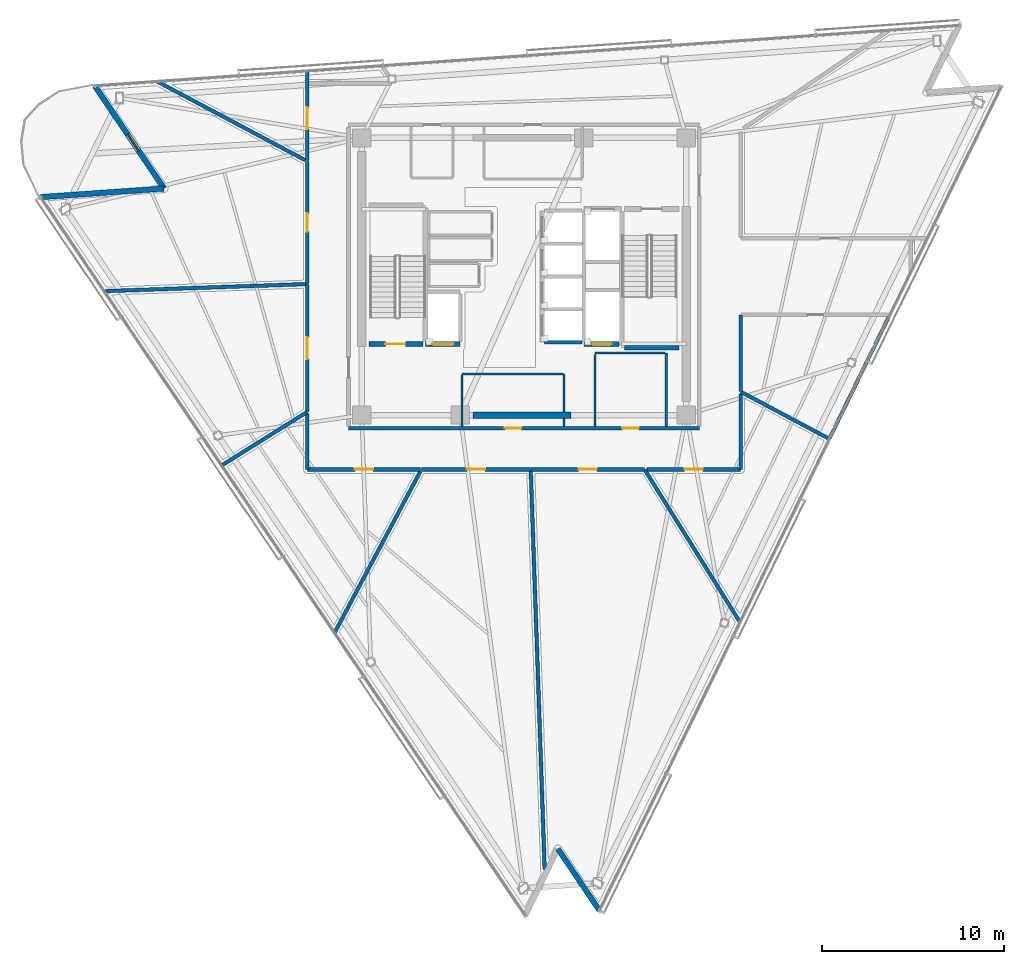
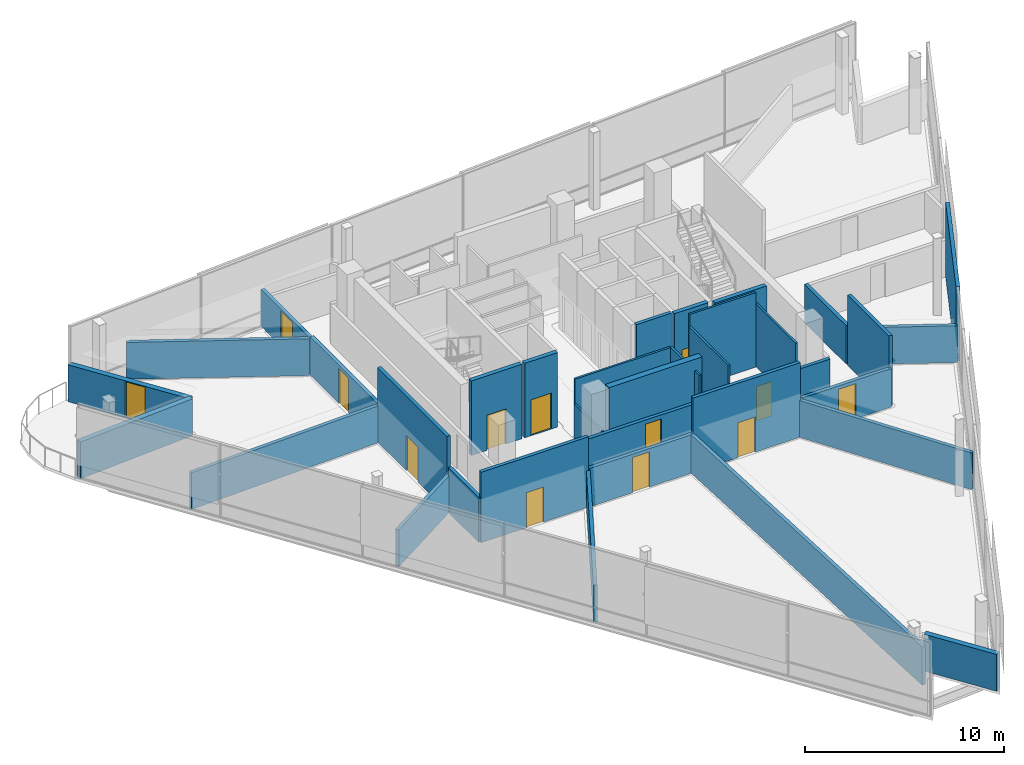
# One storey, part 9 of 16: 35 walls, 13 doors, 13 openings.
"""IFC4 building model written with IfcOpenShell, lengths in metres."""

from ifc_helpers import new_model, si_unit, direction, frame, frame_2d, origin, place, context, subcontext, project, spatial, rectangle, extrude, material, layer, layer_set, type_object, element, fill, save


model = new_model("IFC4")

# Units and contexts
model_context = context("Model", 3, precision=1e-05, world=origin(), true_north=direction((0.0, 1.0)))
body_context = subcontext(model_context, "Body", "Model", "MODEL_VIEW")
ifc_project = project(units=[si_unit("LENGTHUNIT", "METRE"), si_unit("AREAUNIT", "SQUARE_METRE"), si_unit("VOLUMEUNIT", "CUBIC_METRE"), si_unit("PLANEANGLEUNIT", "RADIAN"), si_unit("MASSUNIT", "GRAM", prefix="KILO")], contexts=[model_context])

# Site, building, storey
site_placement = place(None, origin())
site = spatial("IfcSite", under=ifc_project, at=site_placement, CompositionType="ELEMENT")
building_placement = place(site_placement, origin())
building = spatial("IfcBuilding", under=site, at=building_placement, Name="Tharavind Bronze Gate", CompositionType="ELEMENT")
storey_placement = place(building_placement, frame((0.0, 0.0, 275.0)))
storey = spatial("IfcBuildingStorey", under=building, at=storey_placement, Name="L71", CompositionType="ELEMENT", Elevation=275.0)

# Wall, opening, door
ifc_material_1 = material(Name="Concrete C40/50", Category="concrete")
ifc_layer_1 = layer(ifc_material_1, 0.300048828125)
ifc_layer_set_1 = layer_set([ifc_layer_1], Name="Concrete C40/50")
wall_type_1 = type_object("IfcWallType", Name="EXTERIOR SPANDREL WALL 300", PredefinedType="STANDARD", material=ifc_layer_set_1)
wall_1_placement = place(storey_placement, frame((-23.52587890625, 10.446044921875, 0.0), z_axis=(0.0, 0.0, 1.0), x_axis=(0.559187716425, -0.829041071238, 0.0)))
wall_1 = element("IfcWall", 1, at=wall_1_placement, inside=storey, type_object=wall_type_1, Name="L71 notch cheek wall 1A", PredefinedType="STANDARD", context=body_context, shape_type="SweptSolid", body=[
    extrude(rectangle(XDim=6.780029296875, YDim=0.300048828125, at=frame_2d((3.39013671875, 0.0))), origin(), (0.0, 0.0, 1.0), 2.2548828125),
])
opening_1_placement = place(wall_1_placement, frame((3.18603515625, 0.0, 0.0)))
opening_1 = element("IfcOpeningElement", 2, at=opening_1_placement, cuts=wall_1, Name="Opening ED04", PredefinedType="OPENING", context=body_context, shape_type="SweptSolid", body=[
    extrude(rectangle(XDim=1.10009765625, YDim=2.199951171875, at=frame_2d((0.550048828125, 1.10009765625))), frame((0.0, 0.15990234375, 0.0), z_axis=(0.0, -1.0, 0.0), x_axis=(1.0, 0.0, 0.0)), (0.0, 0.0, 1.0), 0.320048828125),
])
ifc_material_2 = material(Name="Bronze Aluminium & Toughened Glass", Category="aluminium")
door_type_1 = type_object("IfcDoorType", Name="TREE BALCONY ACCESS DOOR 1100X2200", OperationType="SINGLE_SWING_LEFT", PredefinedType="DOOR", material=ifc_material_2)
door_1_placement = place(opening_1_placement, frame((1.10009765625, 0.0, 0.0), z_axis=(0.0, 0.0, 1.0), x_axis=(-1.0, 0.0, 0.0)))
door_1 = element("IfcDoor", 3, at=door_1_placement, inside=storey, type_object=door_type_1, Name="L71 tree balcony access door", OperationType="SINGLE_SWING_LEFT", OverallHeight=2.199951171875, OverallWidth=1.10009765625, PredefinedType="DOOR", context=body_context, shape_type="SweptSolid", body=[
    extrude(rectangle(XDim=1.10009765625, YDim=2.199951171875, at=frame_2d((0.550048828125, 1.10009765625))), frame((0.0, 0.02490234375, 0.0), z_axis=(0.0, -1.0, 0.0), x_axis=(1.0, 0.0, 0.0)), (0.0, 0.0, 1.0), 0.050048828125),
])
fill(opening_1, door_1)

# Walls
wall_2_placement = place(storey_placement, frame((-19.734619140625, 4.8251953125, 0.0), z_axis=(0.0, 0.0, 1.0), x_axis=(-0.997564507468, -0.06974993506, 0.0)))
element("IfcWall", 4, at=wall_2_placement, inside=storey, type_object=wall_type_1, Name="L71 notch cheek wall 1B", PredefinedType="STANDARD", context=body_context, shape_type="SweptSolid", body=[
    extrude(rectangle(XDim=6.780029296875, YDim=0.300048828125, at=frame_2d((3.39013671875, 0.0))), origin(), (0.0, 0.0, 1.0), 2.2548828125),
])
wall_3_placement = place(storey_placement, frame((1.859130859375, -31.38916015625, 0.0), z_axis=(0.0, 0.0, 1.0), x_axis=(0.559206900681, -0.829028131145, 0.0)))
element("IfcWall", 5, at=wall_3_placement, inside=storey, type_object=wall_type_1, Name="L71 notch cheek wall 2B", PredefinedType="STANDARD", context=body_context, shape_type="SweptSolid", body=[
    extrude(rectangle(XDim=4.068115234375, YDim=0.300048828125, at=frame_2d((2.0341796875, 0.0))), origin(), (0.0, 0.0, 1.0), 2.2548828125),
])

# Wall, openings, doors
ifc_material_3 = material(Name="Aerated Concrete Block", Category="concrete")
ifc_layer_2 = layer(ifc_material_3, 0.199951171875)
ifc_layer_set_2 = layer_set([ifc_layer_2], Name="Aerated Concrete Block")
wall_type_2 = type_object("IfcWallType", Name="FIRE RATED PARTITION 200", PredefinedType="PARTITIONING", material=ifc_layer_set_2)
wall_4_placement = place(storey_placement, frame((-9.6201171875, -8.320068359375, 0.0), z_axis=(0.0, 0.0, 1.0), x_axis=(1.0, 0.0, 0.0)))
wall_4 = element("IfcWall", 6, at=wall_4_placement, inside=storey, type_object=wall_type_2, Name="L71 south core corridor wall", PredefinedType="PARTITIONING", context=body_context, shape_type="SweptSolid", body=[
    extrude(rectangle(XDim=19.240234375, YDim=0.199951171875, at=frame_2d((9.6201171875, 0.0))), origin(), (0.0, 0.0, 1.0), 2.35498046875),
])
opening_2_placement = place(wall_4_placement, frame((8.570068359375, 0.0, 0.0)))
opening_2 = element("IfcOpeningElement", 7, at=opening_2_placement, cuts=wall_4, Name="Opening ID07", PredefinedType="OPENING", context=body_context, shape_type="SweptSolid", body=[
    extrude(rectangle(XDim=0.89990234375, YDim=2.10009765625, at=frame_2d((0.449951171875, 1.050048828125))), frame((0.0, 0.11009765625, 0.0), z_axis=(0.0, -1.0, 0.0), x_axis=(1.0, 0.0, 0.0)), (0.0, 0.0, 1.0), 0.219951171875),
])
opening_3_placement = place(wall_4_placement, frame((15.02001953125, 0.0, 0.0)))
opening_3 = element("IfcOpeningElement", 8, at=opening_3_placement, cuts=wall_4, Name="Opening ID07", PredefinedType="OPENING", context=body_context, shape_type="SweptSolid", body=[
    extrude(rectangle(XDim=0.89990234375, YDim=2.10009765625, at=frame_2d((0.449951171875, 1.050048828125))), frame((0.0, 0.11009765625, 0.0), z_axis=(0.0, -1.0, 0.0), x_axis=(1.0, 0.0, 0.0)), (0.0, 0.0, 1.0), 0.219951171875),
])
ifc_material_4 = material(Name="Galvanised Fire Steel", Category="steel")
door_type_2 = type_object("IfcDoorType", Name="PLANT AND RISER FIRE DOOR 900X2100", OperationType="SINGLE_SWING_LEFT", PredefinedType="DOOR", material=ifc_material_4)
door_2_placement = place(opening_2_placement, origin())
door_2 = element("IfcDoor", 9, at=door_2_placement, inside=storey, type_object=door_type_2, Name="L71 Core BMS Control Room fire door", OperationType="SINGLE_SWING_LEFT", OverallHeight=2.10009765625, OverallWidth=0.89990234375, PredefinedType="DOOR", context=body_context, shape_type="SweptSolid", body=[
    extrude(rectangle(XDim=0.89990234375, YDim=2.10009765625, at=frame_2d((0.449951171875, 1.050048828125))), frame((0.0, 0.02490234375, 0.0), z_axis=(0.0, -1.0, 0.0), x_axis=(1.0, 0.0, 0.0)), (0.0, 0.0, 1.0), 0.050048828125),
])
fill(opening_2, door_2)
door_3_placement = place(opening_3_placement, origin())
door_3 = element("IfcDoor", 10, at=door_3_placement, inside=storey, type_object=door_type_2, Name="L71 Telecom Metering Room fire door", OperationType="SINGLE_SWING_LEFT", OverallHeight=2.10009765625, OverallWidth=0.89990234375, PredefinedType="DOOR", context=body_context, shape_type="SweptSolid", body=[
    extrude(rectangle(XDim=0.89990234375, YDim=2.10009765625, at=frame_2d((0.449951171875, 1.050048828125))), frame((0.0, 0.02490234375, 0.0), z_axis=(0.0, -1.0, 0.0), x_axis=(1.0, 0.0, 0.0)), (0.0, 0.0, 1.0), 0.050048828125),
])
fill(opening_3, door_3)

# Walls
wall_5_placement = place(storey_placement, frame((16.722900390625, -8.8916015625, 0.0), z_axis=(0.0, 0.0, 1.0), x_axis=(-0.882952698851, 0.469461959686, 0.0)))
element("IfcWall", 11, at=wall_5_placement, inside=storey, type_object=wall_type_2, Name="L71 Public Restrooms Block partition", PredefinedType="PARTITIONING", context=body_context, shape_type="SweptSolid", body=[
    extrude(rectangle(XDim=5.4697265625, YDim=0.199951171875, at=frame_2d((2.73486328125, 0.0))), origin(), (0.0, 0.0, 1.0), 2.2548828125),
])
wall_6_placement = place(storey_placement, frame((11.8798828125, -6.3017578125, 0.0), z_axis=(0.0, 0.0, 1.0), x_axis=(0.0, 1.0, 0.0)))
element("IfcWall", 12, at=wall_6_placement, inside=storey, type_object=wall_type_2, Name="L71 Public Restrooms Block partition", PredefinedType="PARTITIONING", context=body_context, shape_type="SweptSolid", body=[
    extrude(rectangle(XDim=4.1767578125, YDim=0.199951171875, at=frame_2d((2.08837890625, 0.0))), origin(), (0.0, 0.0, 1.0), 2.35498046875),
])
wall_7_placement = place(storey_placement, frame((20.012939453125, -2.205078125, 0.0), z_axis=(0.0, 0.0, 1.0), x_axis=(-0.438369230387, -0.898794980989, 0.0)))
element("IfcWall", 13, at=wall_7_placement, inside=storey, type_object=wall_type_2, Name="L71 Public Restrooms Block partition", PredefinedType="PARTITIONING", context=body_context, shape_type="SweptSolid", body=[
    extrude(rectangle(XDim=7.42724609375, YDim=0.199951171875, at=frame_2d((3.713623046875, 0.0))), origin(), (0.0, 0.0, 1.0), 4.56005859375),
])

# Wall, opening, door
wall_8_placement = place(storey_placement, frame((-11.8798828125, 11.260498046875, 0.0), z_axis=(0.0, 0.0, 1.0), x_axis=(0.0, -1.0, 0.0)))
wall_8 = element("IfcWall", 14, at=wall_8_placement, inside=storey, type_object=wall_type_2, Name="L71 Consular Interview Room partition", PredefinedType="PARTITIONING", context=body_context, shape_type="SweptSolid", body=[
    extrude(rectangle(XDim=4.902099609375, YDim=0.199951171875, at=frame_2d((2.451171875, 0.0))), origin(), (0.0, 0.0, 1.0), 2.2548828125),
])
opening_4_placement = place(wall_8_placement, frame((1.98095703125, 0.0, 0.0)))
opening_4 = element("IfcOpeningElement", 15, at=opening_4_placement, cuts=wall_8, Name="Opening ID05", PredefinedType="OPENING", context=body_context, shape_type="SweptSolid", body=[
    extrude(rectangle(XDim=1.199951171875, YDim=2.14990234375, at=frame_2d((0.60009765625, 1.074951171875))), frame((0.0, 0.11009765625, 0.0), z_axis=(0.0, -1.0, 0.0), x_axis=(1.0, 0.0, 0.0)), (0.0, 0.0, 1.0), 0.219951171875),
])
ifc_material_5 = material(Name="Acoustic Laminated Glass", Category="glass")
door_type_3 = type_object("IfcDoorType", Name="MEETING ROOM GLAZED DOOR 1200X2150", OperationType="SINGLE_SWING_LEFT", PredefinedType="DOOR", material=ifc_material_5)
door_4_placement = place(opening_4_placement, origin())
door_4 = element("IfcDoor", 16, at=door_4_placement, inside=storey, type_object=door_type_3, Name="L71 Consular Interview Room door", OperationType="SINGLE_SWING_LEFT", OverallHeight=2.14990234375, OverallWidth=1.199951171875, PredefinedType="DOOR", context=body_context, shape_type="SweptSolid", body=[
    extrude(rectangle(XDim=1.199951171875, YDim=2.14990234375, at=frame_2d((0.60009765625, 1.074951171875))), frame((0.0, 0.02490234375, 0.0), z_axis=(0.0, -1.0, 0.0), x_axis=(1.0, 0.0, 0.0)), (0.0, 0.0, 1.0), 0.050048828125),
])
fill(opening_4, door_4)

# Wall
wall_9_placement = place(storey_placement, frame((-11.985107421875, 6.37255859375, 0.0), z_axis=(0.0, 0.0, 1.0), x_axis=(-0.882948796651, 0.469469298776, 0.0)))
element("IfcWall", 17, at=wall_9_placement, inside=storey, type_object=wall_type_2, Name="L71 Consular Interview Room partition", PredefinedType="PARTITIONING", context=body_context, shape_type="SweptSolid", body=[
    extrude(rectangle(XDim=9.1875, YDim=0.199951171875, at=frame_2d((4.59375, 0.0))), origin(), (0.0, 0.0, 1.0), 2.2548828125),
])

# Wall, opening, door
wall_10_placement = place(storey_placement, frame((-11.8798828125, 6.3017578125, 0.0), z_axis=(0.0, 0.0, 1.0), x_axis=(0.0, -1.0, 0.0)))
wall_10 = element("IfcWall", 18, at=wall_10_placement, inside=storey, type_object=wall_type_2, Name="L71 Treaty Chancery Office partition", PredefinedType="PARTITIONING", context=body_context, shape_type="SweptSolid", body=[
    extrude(rectangle(XDim=6.6923828125, YDim=0.199951171875, at=frame_2d((3.34619140625, 0.0))), origin(), (0.0, 0.0, 1.0), 2.35498046875),
])
opening_5_placement = place(wall_10_placement, frame((2.845947265625, 0.0, 0.0)))
opening_5 = element("IfcOpeningElement", 19, at=opening_5_placement, cuts=wall_10, Name="Opening ID04", PredefinedType="OPENING", context=body_context, shape_type="SweptSolid", body=[
    extrude(rectangle(XDim=1.0, YDim=2.14990234375, at=frame_2d((0.5, 1.074951171875))), frame((0.0, 0.11009765625, 0.0), z_axis=(0.0, -1.0, 0.0), x_axis=(1.0, 0.0, 0.0)), (0.0, 0.0, 1.0), 0.219951171875),
])
ifc_material_6 = material(Name="Bronze Framed Acoustic Timber", Category="wood")
door_type_4 = type_object("IfcDoorType", Name="OFFICE TENANCY DOOR 1000X2150", OperationType="SINGLE_SWING_RIGHT", PredefinedType="DOOR", material=ifc_material_6)
door_5_placement = place(opening_5_placement, origin())
door_5 = element("IfcDoor", 20, at=door_5_placement, inside=storey, type_object=door_type_4, Name="L71 Treaty Chancery Office door", OperationType="SINGLE_SWING_RIGHT", OverallHeight=2.14990234375, OverallWidth=1.0, PredefinedType="DOOR", context=body_context, shape_type="SweptSolid", body=[
    extrude(rectangle(XDim=1.0, YDim=2.14990234375, at=frame_2d((0.5, 1.074951171875))), frame((0.0, 0.02490234375, 0.0), z_axis=(0.0, -1.0, 0.0), x_axis=(1.0, 0.0, 0.0)), (0.0, 0.0, 1.0), 0.050048828125),
])
fill(opening_5, door_5)

# Wall
wall_11_placement = place(storey_placement, frame((-11.904052734375, -0.415771484375, 0.0), z_axis=(0.0, 0.0, 1.0), x_axis=(-0.999390843877, -0.034899013965, 0.0)))
element("IfcWall", 21, at=wall_11_placement, inside=storey, type_object=wall_type_2, Name="L71 Treaty Chancery Office partition", PredefinedType="PARTITIONING", context=body_context, shape_type="SweptSolid", body=[
    extrude(rectangle(XDim=11.109130859375, YDim=0.199951171875, at=frame_2d((5.5546875, 0.0))), origin(), (0.0, 0.0, 1.0), 2.2548828125),
])

# Wall, opening, door
wall_12_placement = place(storey_placement, frame((-11.8798828125, -0.440673828125, 0.0), z_axis=(0.0, 0.0, 1.0), x_axis=(0.0, -1.0, 0.0)))
wall_12 = element("IfcWall", 22, at=wall_12_placement, inside=storey, type_object=wall_type_2, Name="L71 Press Briefing Room partition", PredefinedType="PARTITIONING", context=body_context, shape_type="SweptSolid", body=[
    extrude(rectangle(XDim=6.968994140625, YDim=0.199951171875, at=frame_2d((3.484375, 0.0))), origin(), (0.0, 0.0, 1.0), 4.56005859375),
])
opening_6_placement = place(wall_12_placement, frame((2.884033203125, 0.0, 0.0)))
opening_6 = element("IfcOpeningElement", 23, at=opening_6_placement, cuts=wall_12, Name="Opening ID05", PredefinedType="OPENING", context=body_context, shape_type="SweptSolid", body=[
    extrude(rectangle(XDim=1.199951171875, YDim=2.14990234375, at=frame_2d((0.60009765625, 1.074951171875))), frame((0.0, 0.11009765625, 0.0), z_axis=(0.0, -1.0, 0.0), x_axis=(1.0, 0.0, 0.0)), (0.0, 0.0, 1.0), 0.219951171875),
])
door_6_placement = place(opening_6_placement, origin())
door_6 = element("IfcDoor", 24, at=door_6_placement, inside=storey, type_object=door_type_3, Name="L71 Press Briefing Room door", OperationType="SINGLE_SWING_LEFT", OverallHeight=2.14990234375, OverallWidth=1.199951171875, PredefinedType="DOOR", context=body_context, shape_type="SweptSolid", body=[
    extrude(rectangle(XDim=1.199951171875, YDim=2.14990234375, at=frame_2d((0.60009765625, 1.074951171875))), frame((0.0, 0.02490234375, 0.0), z_axis=(0.0, -1.0, 0.0), x_axis=(1.0, 0.0, 0.0)), (0.0, 0.0, 1.0), 0.050048828125),
])
fill(opening_6, door_6)

# Walls
wall_13_placement = place(storey_placement, frame((-11.891845703125, -7.430908203125, 0.0), z_axis=(0.0, 0.0, 1.0), x_axis=(-0.848053170971, -0.529911142745, 0.0)))
element("IfcWall", 25, at=wall_13_placement, inside=storey, type_object=wall_type_2, Name="L71 Press Briefing Room partition", PredefinedType="PARTITIONING", context=body_context, shape_type="SweptSolid", body=[
    extrude(rectangle(XDim=5.499267578125, YDim=0.199951171875, at=frame_2d((2.74951171875, 0.0))), origin(), (0.0, 0.0, 1.0), 2.2548828125),
])
wall_14_placement = place(storey_placement, frame((-11.8798828125, -7.547119140625, 0.0), z_axis=(0.0, 0.0, 1.0), x_axis=(0.0, -1.0, 0.0)))
element("IfcWall", 26, at=wall_14_placement, inside=storey, type_object=wall_type_2, Name="L71 Envoys Study partition", PredefinedType="PARTITIONING", context=body_context, shape_type="SweptSolid", body=[
    extrude(rectangle(XDim=3.0322265625, YDim=0.199951171875, at=frame_2d((1.51611328125, 0.0))), origin(), (0.0, 0.0, 1.0), 2.7548828125),
])

# Wall, opening, door
wall_15_placement = place(storey_placement, frame((-11.87939453125, -10.580078125, 0.0), z_axis=(0.0, 0.0, 1.0), x_axis=(1.0, 0.0, 0.0)))
wall_15 = element("IfcWall", 27, at=wall_15_placement, inside=storey, type_object=wall_type_2, Name="L71 Envoys Study partition", PredefinedType="PARTITIONING", context=body_context, shape_type="SweptSolid", body=[
    extrude(rectangle(XDim=6.21240234375, YDim=0.199951171875, at=frame_2d((3.106201171875, 0.0))), origin(), (0.0, 0.0, 1.0), 4.31494140625),
])
opening_7_placement = place(wall_15_placement, frame((2.60595703125, 0.0, 0.0)))
opening_7 = element("IfcOpeningElement", 28, at=opening_7_placement, cuts=wall_15, Name="Opening ID04", PredefinedType="OPENING", context=body_context, shape_type="SweptSolid", body=[
    extrude(rectangle(XDim=1.0, YDim=2.14990234375, at=frame_2d((0.5, 1.074951171875))), frame((0.0, 0.11009765625, 0.0), z_axis=(0.0, -1.0, 0.0), x_axis=(1.0, 0.0, 0.0)), (0.0, 0.0, 1.0), 0.219951171875),
])
door_7_placement = place(opening_7_placement, origin())
door_7 = element("IfcDoor", 29, at=door_7_placement, inside=storey, type_object=door_type_4, Name="L71 Envoys Study door", OperationType="SINGLE_SWING_RIGHT", OverallHeight=2.14990234375, OverallWidth=1.0, PredefinedType="DOOR", context=body_context, shape_type="SweptSolid", body=[
    extrude(rectangle(XDim=1.0, YDim=2.14990234375, at=frame_2d((0.5, 1.074951171875))), frame((0.0, 0.02490234375, 0.0), z_axis=(0.0, -1.0, 0.0), x_axis=(1.0, 0.0, 0.0)), (0.0, 0.0, 1.0), 0.050048828125),
])
fill(opening_7, door_7)

# Wall
wall_16_placement = place(storey_placement, frame((-5.681396484375, -10.68505859375, 0.0), z_axis=(0.0, 0.0, 1.0), x_axis=(-0.469465104715, -0.882951026646, 0.0)))
element("IfcWall", 30, at=wall_16_placement, inside=storey, type_object=wall_type_2, Name="L71 Envoys Study partition", PredefinedType="PARTITIONING", context=body_context, shape_type="SweptSolid", body=[
    extrude(rectangle(XDim=10.022216796875, YDim=0.199951171875, at=frame_2d((5.01123046875, 0.0))), origin(), (0.0, 0.0, 1.0), 2.2548828125),
])

# Wall, opening, door
wall_17_placement = place(storey_placement, frame((-5.610595703125, -10.580078125, 0.0), z_axis=(0.0, 0.0, 1.0), x_axis=(1.0, 0.0, 0.0)))
wall_17 = element("IfcWall", 31, at=wall_17_placement, inside=storey, type_object=wall_type_2, Name="L71 Protocol Office partition", PredefinedType="PARTITIONING", context=body_context, shape_type="SweptSolid", body=[
    extrude(rectangle(XDim=5.955810546875, YDim=0.199951171875, at=frame_2d((2.97802734375, 0.0))), origin(), (0.0, 0.0, 1.0), 2.35498046875),
])
opening_8_placement = place(wall_17_placement, frame((2.47802734375, 0.0, 0.0)))
opening_8 = element("IfcOpeningElement", 32, at=opening_8_placement, cuts=wall_17, Name="Opening ID04", PredefinedType="OPENING", context=body_context, shape_type="SweptSolid", body=[
    extrude(rectangle(XDim=1.0, YDim=2.14990234375, at=frame_2d((0.5, 1.074951171875))), frame((0.0, 0.11009765625, 0.0), z_axis=(0.0, -1.0, 0.0), x_axis=(1.0, 0.0, 0.0)), (0.0, 0.0, 1.0), 0.219951171875),
])
door_8_placement = place(opening_8_placement, origin())
door_8 = element("IfcDoor", 33, at=door_8_placement, inside=storey, type_object=door_type_4, Name="L71 Protocol Office door", OperationType="SINGLE_SWING_RIGHT", OverallHeight=2.14990234375, OverallWidth=1.0, PredefinedType="DOOR", context=body_context, shape_type="SweptSolid", body=[
    extrude(rectangle(XDim=1.0, YDim=2.14990234375, at=frame_2d((0.5, 1.074951171875))), frame((0.0, 0.02490234375, 0.0), z_axis=(0.0, -1.0, 0.0), x_axis=(1.0, 0.0, 0.0)), (0.0, 0.0, 1.0), 0.050048828125),
])
fill(opening_8, door_8)

# Wall
wall_18_placement = place(storey_placement, frame((0.370361328125, -10.60400390625, 0.0), z_axis=(0.0, 0.0, 1.0), x_axis=(0.034892513881, -0.99939107084, 0.0)))
element("IfcWall", 34, at=wall_18_placement, inside=storey, type_object=wall_type_2, Name="L71 Protocol Office partition", PredefinedType="PARTITIONING", context=body_context, shape_type="SweptSolid", body=[
    extrude(rectangle(XDim=21.928466796875, YDim=0.199951171875, at=frame_2d((10.96435546875, 0.0))), origin(), (0.0, 0.0, 1.0), 2.35498046875),
])

# Wall, opening, door
wall_19_placement = place(storey_placement, frame((0.395263671875, -10.580078125, 0.0), z_axis=(0.0, 0.0, 1.0), x_axis=(1.0, 0.0, 0.0)))
wall_19 = element("IfcWall", 35, at=wall_19_placement, inside=storey, type_object=wall_type_2, Name="L71 Chancery Office partition", PredefinedType="PARTITIONING", context=body_context, shape_type="SweptSolid", body=[
    extrude(rectangle(XDim=6.2021484375, YDim=0.199951171875, at=frame_2d((3.10107421875, 0.0))), origin(), (0.0, 0.0, 1.0), 4.56005859375),
])
opening_9_placement = place(wall_19_placement, frame((2.60107421875, 0.0, 0.0)))
opening_9 = element("IfcOpeningElement", 36, at=opening_9_placement, cuts=wall_19, Name="Opening ID04", PredefinedType="OPENING", context=body_context, shape_type="SweptSolid", body=[
    extrude(rectangle(XDim=1.0, YDim=2.14990234375, at=frame_2d((0.5, 1.074951171875))), frame((0.0, 0.11009765625, 0.0), z_axis=(0.0, -1.0, 0.0), x_axis=(1.0, 0.0, 0.0)), (0.0, 0.0, 1.0), 0.219951171875),
])
door_9_placement = place(opening_9_placement, origin())
door_9 = element("IfcDoor", 37, at=door_9_placement, inside=storey, type_object=door_type_4, Name="L71 Chancery Office door", OperationType="SINGLE_SWING_RIGHT", OverallHeight=2.14990234375, OverallWidth=1.0, PredefinedType="DOOR", context=body_context, shape_type="SweptSolid", body=[
    extrude(rectangle(XDim=1.0, YDim=2.14990234375, at=frame_2d((0.5, 1.074951171875))), frame((0.0, 0.02490234375, 0.0), z_axis=(0.0, -1.0, 0.0), x_axis=(1.0, 0.0, 0.0)), (0.0, 0.0, 1.0), 0.050048828125),
])
fill(opening_9, door_9)

# Wall
wall_20_placement = place(storey_placement, frame((6.618408203125, -10.591796875, 0.0), z_axis=(0.0, 0.0, 1.0), x_axis=(0.529918705885, -0.848048445051, 0.0)))
element("IfcWall", 38, at=wall_20_placement, inside=storey, type_object=wall_type_2, Name="L71 Chancery Office partition", PredefinedType="PARTITIONING", context=body_context, shape_type="SweptSolid", body=[
    extrude(rectangle(XDim=9.846923828125, YDim=0.199951171875, at=frame_2d((4.92333984375, 0.0))), origin(), (0.0, 0.0, 1.0), 2.2548828125),
])

# Wall, opening, door
wall_21_placement = place(storey_placement, frame((6.73486328125, -10.580078125, 0.0), z_axis=(0.0, 0.0, 1.0), x_axis=(1.0, 0.0, 0.0)))
wall_21 = element("IfcWall", 39, at=wall_21_placement, inside=storey, type_object=wall_type_2, Name="L71 Attache Office partition", PredefinedType="PARTITIONING", context=body_context, shape_type="SweptSolid", body=[
    extrude(rectangle(XDim=5.14453125, YDim=0.199951171875, at=frame_2d((2.572265625, 0.0))), origin(), (0.0, 0.0, 1.0), 2.35498046875),
])
opening_10_placement = place(wall_21_placement, frame((2.072021484375, 0.0, 0.0)))
opening_10 = element("IfcOpeningElement", 40, at=opening_10_placement, cuts=wall_21, Name="Opening ID04", PredefinedType="OPENING", context=body_context, shape_type="SweptSolid", body=[
    extrude(rectangle(XDim=1.0, YDim=2.14990234375, at=frame_2d((0.5, 1.074951171875))), frame((0.0, 0.11009765625, 0.0), z_axis=(0.0, -1.0, 0.0), x_axis=(1.0, 0.0, 0.0)), (0.0, 0.0, 1.0), 0.219951171875),
])
door_10_placement = place(opening_10_placement, origin())
door_10 = element("IfcDoor", 41, at=door_10_placement, inside=storey, type_object=door_type_4, Name="L71 Attache Office door", OperationType="SINGLE_SWING_RIGHT", OverallHeight=2.14990234375, OverallWidth=1.0, PredefinedType="DOOR", context=body_context, shape_type="SweptSolid", body=[
    extrude(rectangle(XDim=1.0, YDim=2.14990234375, at=frame_2d((0.5, 1.074951171875))), frame((0.0, 0.02490234375, 0.0), z_axis=(0.0, -1.0, 0.0), x_axis=(1.0, 0.0, 0.0)), (0.0, 0.0, 1.0), 0.050048828125),
])
fill(opening_10, door_10)

# Walls
wall_22_placement = place(storey_placement, frame((11.8798828125, -10.579345703125, 0.0), z_axis=(0.0, 0.0, 1.0), x_axis=(0.0, 1.0, 0.0)))
element("IfcWall", 42, at=wall_22_placement, inside=storey, type_object=wall_type_2, Name="L71 Attache Office partition", PredefinedType="PARTITIONING", context=body_context, shape_type="SweptSolid", body=[
    extrude(rectangle(XDim=4.143798828125, YDim=0.199951171875, at=frame_2d((2.07177734375, 0.0))), origin(), (0.0, 0.0, 1.0), 4.31494140625),
])
ifc_material_7 = material(Name="Metal Stud Gypsum Partition", Category="gypsum")
ifc_layer_3 = layer(ifc_material_7, 0.1201171875)
ifc_layer_set_3 = layer_set([ifc_layer_3], Name="Metal Stud Gypsum Partition")
wall_type_3 = type_object("IfcWallType", Name="INTERIOR PARTITION WALL 120", PredefinedType="PARTITIONING", material=ifc_layer_set_3)
wall_23_placement = place(storey_placement, frame((2.199951171875, -8.215087890625, 0.0), z_axis=(0.0, 0.0, 1.0), x_axis=(0.0, 1.0, 0.0)))
element("IfcWall", 43, at=wall_23_placement, inside=storey, type_object=wall_type_3, Name="L71 Core BMS Control Room partition 2", PredefinedType="PARTITIONING", context=body_context, shape_type="SweptSolid", body=[
    extrude(rectangle(XDim=0.43505859375, YDim=0.1201171875, at=frame_2d((0.217529296875, 0.0))), origin(), (0.0, 0.0, 1.0), 3.85498046875),
])
wall_24_placement = place(storey_placement, frame((2.199951171875, -7.419921875, 0.0), z_axis=(0.0, 0.0, 1.0), x_axis=(0.0, 1.0, 0.0)))
element("IfcWall", 44, at=wall_24_placement, inside=storey, type_object=wall_type_3, Name="L71 Core BMS Control Room partition 2", PredefinedType="PARTITIONING", context=body_context, shape_type="SweptSolid", body=[
    extrude(rectangle(XDim=2.06982421875, YDim=0.1201171875, at=frame_2d((1.034912109375, 0.0))), origin(), (0.0, 0.0, 1.0), 3.85498046875),
])
wall_25_placement = place(storey_placement, frame((2.135009765625, -5.35009765625, 0.0), z_axis=(0.0, 0.0, 1.0), x_axis=(-1.0, 0.0, 0.0)))
element("IfcWall", 45, at=wall_25_placement, inside=storey, type_object=wall_type_3, Name="L71 Core BMS Control Room partition 3", PredefinedType="PARTITIONING", context=body_context, shape_type="SweptSolid", body=[
    extrude(rectangle(XDim=5.534912109375, YDim=0.1201171875, at=frame_2d((2.767578125, 0.0))), origin(), (0.0, 0.0, 1.0), 3.85498046875),
])
wall_26_placement = place(storey_placement, frame((-3.39990234375, -5.4150390625, 0.0), z_axis=(0.0, 0.0, 1.0), x_axis=(0.0, -1.0, 0.0)))
element("IfcWall", 46, at=wall_26_placement, inside=storey, type_object=wall_type_3, Name="L71 Core BMS Control Room partition 4", PredefinedType="PARTITIONING", context=body_context, shape_type="SweptSolid", body=[
    extrude(rectangle(XDim=2.800048828125, YDim=0.1201171875, at=frame_2d((1.39990234375, 0.0))), origin(), (0.0, 0.0, 1.0), 2.35498046875),
])
wall_27_placement = place(storey_placement, frame((7.800048828125, -8.215087890625, 0.0), z_axis=(0.0, 0.0, 1.0), x_axis=(0.0, 1.0, 0.0)))
element("IfcWall", 47, at=wall_27_placement, inside=storey, type_object=wall_type_3, Name="L71 Telecom Metering Room partition 2", PredefinedType="PARTITIONING", context=body_context, shape_type="SweptSolid", body=[
    extrude(rectangle(XDim=4.01513671875, YDim=0.1201171875, at=frame_2d((2.007568359375, 0.0))), origin(), (0.0, 0.0, 1.0), 3.85498046875),
])
wall_28_placement = place(storey_placement, frame((7.735107421875, -4.199951171875, 0.0), z_axis=(0.0, 0.0, 1.0), x_axis=(-1.0, 0.0, 0.0)))
element("IfcWall", 48, at=wall_28_placement, inside=storey, type_object=wall_type_3, Name="L71 Telecom Metering Room partition 3", PredefinedType="PARTITIONING", context=body_context, shape_type="SweptSolid", body=[
    extrude(rectangle(XDim=3.835205078125, YDim=0.1201171875, at=frame_2d((1.91748046875, 0.0))), origin(), (0.0, 0.0, 1.0), 4.56005859375),
])
wall_29_placement = place(storey_placement, frame((3.89990234375, -4.264892578125, 0.0), z_axis=(0.0, 0.0, 1.0), x_axis=(0.0, -1.0, 0.0)))
element("IfcWall", 49, at=wall_29_placement, inside=storey, type_object=wall_type_3, Name="L71 Telecom Metering Room partition 4", PredefinedType="PARTITIONING", context=body_context, shape_type="SweptSolid", body=[
    extrude(rectangle(XDim=3.9501953125, YDim=0.1201171875, at=frame_2d((1.97509765625, 0.0))), origin(), (0.0, 0.0, 1.0), 3.85498046875),
])

# Wall, opening, door
ifc_material_8 = material(Name="Concrete C50/60", Category="concrete")
ifc_layer_4 = layer(ifc_material_8, 0.25)
ifc_layer_set_4 = layer_set([ifc_layer_4], Name="Concrete C50/60")
wall_type_4 = type_object("IfcWallType", Name="RC CORE SHEAR WALL 250", PredefinedType="SHEAR", material=ifc_layer_set_4)
wall_30_placement = place(storey_placement, frame((-8.5, -3.699951171875, 0.0), z_axis=(0.0, 0.0, 1.0), x_axis=(1.0, 0.0, 0.0)))
wall_30 = element("IfcWall", 50, at=wall_30_placement, inside=storey, type_object=wall_type_4, Name="L71 ST1 shaft south wall", PredefinedType="SHEAR", context=body_context, shape_type="SweptSolid", body=[
    extrude(rectangle(XDim=2.949951171875, YDim=0.25, at=frame_2d((1.47509765625, 0.0))), origin(), (0.0, 0.0, 1.0), 4.56005859375),
])
opening_11_placement = place(wall_30_placement, frame((0.89990234375, 0.0, 0.0)))
opening_11 = element("IfcOpeningElement", 51, at=opening_11_placement, cuts=wall_30, Name="Opening ID01", PredefinedType="OPENING", context=body_context, shape_type="SweptSolid", body=[
    extrude(rectangle(XDim=1.10009765625, YDim=2.14990234375, at=frame_2d((0.550048828125, 1.074951171875))), frame((0.0, 0.135, 0.0), z_axis=(0.0, -1.0, 0.0), x_axis=(1.0, 0.0, 0.0)), (0.0, 0.0, 1.0), 0.27),
])
ifc_material_9 = material(Name="Fire-Rated Steel", Category="steel")
door_type_5 = type_object("IfcDoorType", Name="STAIR CORE FIRE DOOR 1100X2150", OperationType="SINGLE_SWING_LEFT", PredefinedType="DOOR", material=ifc_material_9)
door_11_placement = place(opening_11_placement, origin())
door_11 = element("IfcDoor", 52, at=door_11_placement, inside=storey, type_object=door_type_5, Name="L71 exit stair ST1 fire door", OperationType="SINGLE_SWING_LEFT", OverallHeight=2.14990234375, OverallWidth=1.10009765625, PredefinedType="DOOR", context=body_context, shape_type="SweptSolid", body=[
    extrude(rectangle(XDim=1.10009765625, YDim=2.14990234375, at=frame_2d((0.550048828125, 1.074951171875))), frame((0.0, 0.02490234375, 0.0), z_axis=(0.0, -1.0, 0.0), x_axis=(1.0, 0.0, 0.0)), (0.0, 0.0, 1.0), 0.050048828125),
])
fill(opening_11, door_11)

# Wall
wall_31_placement = place(storey_placement, frame((5.5, -3.89990234375, 0.0), z_axis=(0.0, 0.0, 1.0), x_axis=(1.0, 0.0, 0.0)))
element("IfcWall", 53, at=wall_31_placement, inside=storey, type_object=wall_type_4, Name="L71 ST2 shaft south wall", PredefinedType="SHEAR", context=body_context, shape_type="SweptSolid", body=[
    extrude(rectangle(XDim=3.0, YDim=0.25, at=frame_2d((1.5, 0.0))), origin(), (0.0, 0.0, 1.0), 4.56005859375),
])

# Wall, opening, door
wall_32_placement = place(storey_placement, frame((-5.39990234375, -3.699951171875, 0.0), z_axis=(0.0, 0.0, 1.0), x_axis=(1.0, 0.0, 0.0)))
wall_32 = element("IfcWall", 54, at=wall_32_placement, inside=storey, type_object=wall_type_4, Name="L71 lift FFL1 shaft front wall", PredefinedType="SHEAR", context=body_context, shape_type="SweptSolid", body=[
    extrude(rectangle(XDim=1.89990234375, YDim=0.25, at=frame_2d((0.949951171875, 0.0))), origin(), (0.0, 0.0, 1.0), 4.56005859375),
])
opening_12_placement = place(wall_32_placement, frame((0.35009765625, 0.0, 0.0)))
opening_12 = element("IfcOpeningElement", 55, at=opening_12_placement, cuts=wall_32, Name="Opening LD02", PredefinedType="OPENING", context=body_context, shape_type="SweptSolid", body=[
    extrude(rectangle(XDim=1.199951171875, YDim=2.199951171875, at=frame_2d((0.60009765625, 1.10009765625))), frame((0.0, 0.135, 0.0), z_axis=(0.0, -1.0, 0.0), x_axis=(1.0, 0.0, 0.0)), (0.0, 0.0, 1.0), 0.27),
])
ifc_material_10 = material(Name="Brushed Stainless Steel", Category="steel")
door_type_6 = type_object("IfcDoorType", Name="FIREFIGHTING LIFT LANDING DOOR 1200X2200", OperationType="SLIDING_TO_RIGHT", PredefinedType="DOOR", material=ifc_material_10)
door_12_placement = place(opening_12_placement, origin())
door_12 = element("IfcDoor", 56, at=door_12_placement, inside=storey, type_object=door_type_6, Name="L71 lift FFL1 sliding landing door", OperationType="SLIDING_TO_RIGHT", OverallHeight=2.199951171875, OverallWidth=1.199951171875, PredefinedType="DOOR", context=body_context, shape_type="SweptSolid", body=[
    extrude(rectangle(XDim=1.199951171875, YDim=2.199951171875, at=frame_2d((0.60009765625, 1.10009765625))), frame((0.0, 0.02490234375, 0.0), z_axis=(0.0, -1.0, 0.0), x_axis=(1.0, 0.0, 0.0)), (0.0, 0.0, 1.0), 0.050048828125),
])
fill(opening_12, door_12)

wall_33_placement = place(storey_placement, frame((3.280029296875, -3.699951171875, 0.0), z_axis=(0.0, 0.0, 1.0), x_axis=(1.0, 0.0, 0.0)))
wall_33 = element("IfcWall", 57, at=wall_33_placement, inside=storey, type_object=wall_type_4, Name="L71 lift SVL1 shaft front wall", PredefinedType="SHEAR", context=body_context, shape_type="SweptSolid", body=[
    extrude(rectangle(XDim=1.93994140625, YDim=0.25, at=frame_2d((0.969970703125, 0.0))), origin(), (0.0, 0.0, 1.0), 4.56005859375),
])
opening_13_placement = place(wall_33_placement, frame((0.419921875, 0.0, 0.0)))
opening_13 = element("IfcOpeningElement", 58, at=opening_13_placement, cuts=wall_33, Name="Opening LD01", PredefinedType="OPENING", context=body_context, shape_type="SweptSolid", body=[
    extrude(rectangle(XDim=1.10009765625, YDim=2.199951171875, at=frame_2d((0.550048828125, 1.10009765625))), frame((0.0, 0.135, 0.0), z_axis=(0.0, -1.0, 0.0), x_axis=(1.0, 0.0, 0.0)), (0.0, 0.0, 1.0), 0.27),
])
ifc_material_11 = material(Name="Brushed Bronze Stainless Steel", Category="steel")
door_type_7 = type_object("IfcDoorType", Name="LIFT LANDING SLIDING DOOR 1100X2200", OperationType="SLIDING_TO_LEFT", PredefinedType="DOOR", material=ifc_material_11)
door_13_placement = place(opening_13_placement, origin())
door_13 = element("IfcDoor", 59, at=door_13_placement, inside=storey, type_object=door_type_7, Name="L71 lift SVL1 sliding landing door", OperationType="SLIDING_TO_LEFT", OverallHeight=2.199951171875, OverallWidth=1.10009765625, PredefinedType="DOOR", context=body_context, shape_type="SweptSolid", body=[
    extrude(rectangle(XDim=1.10009765625, YDim=2.199951171875, at=frame_2d((0.550048828125, 1.10009765625))), frame((0.0, 0.02490234375, 0.0), z_axis=(0.0, -1.0, 0.0), x_axis=(1.0, 0.0, 0.0)), (0.0, 0.0, 1.0), 0.050048828125),
])
fill(opening_13, door_13)

# Walls
ifc_layer_5 = layer(ifc_material_8, 0.35009765625)
ifc_layer_set_5 = layer_set([ifc_layer_5], Name="Concrete C50/60")
wall_type_5 = type_object("IfcWallType", Name="RC CORE SHEAR WALL 350", PredefinedType="SHEAR", material=ifc_layer_set_5)
wall_34_placement = place(storey_placement, frame((-2.800048828125, -7.60009765625, 0.0), z_axis=(0.0, 0.0, 1.0), x_axis=(1.0, 0.0, 0.0)))
element("IfcWall", 60, at=wall_34_placement, inside=storey, type_object=wall_type_5, Name="L71 south core shear wall", PredefinedType="SHEAR", context=body_context, shape_type="SweptSolid", body=[
    extrude(rectangle(XDim=5.380126953125, YDim=0.35009765625, at=frame_2d((2.68994140625, 0.0))), origin(), (0.0, 0.0, 1.0), 4.56005859375),
])
ifc_layer_6 = layer(ifc_material_1, 0.199951171875)
ifc_layer_set_6 = layer_set([ifc_layer_6], Name="Concrete C40/50")
wall_type_6 = type_object("IfcWallType", Name="SHAFT ENCLOSURE WALL 200", PredefinedType="PARTITIONING", material=ifc_layer_set_6)
wall_35_placement = place(storey_placement, frame((1.1298828125, -3.60009765625, 0.0), z_axis=(0.0, 0.0, 1.0), x_axis=(1.0, 0.0, 0.0)))
element("IfcWall", 61, at=wall_35_placement, inside=storey, type_object=wall_type_6, Name="L71 lift PL9 shaft S enclosure wall", PredefinedType="PARTITIONING", context=body_context, shape_type="SweptSolid", body=[
    extrude(rectangle(XDim=2.045166015625, YDim=0.199951171875, at=frame_2d((1.0224609375, 0.0))), origin(), (0.0, 0.0, 1.0), 4.56005859375),
])

save(model, "model.ifc")
